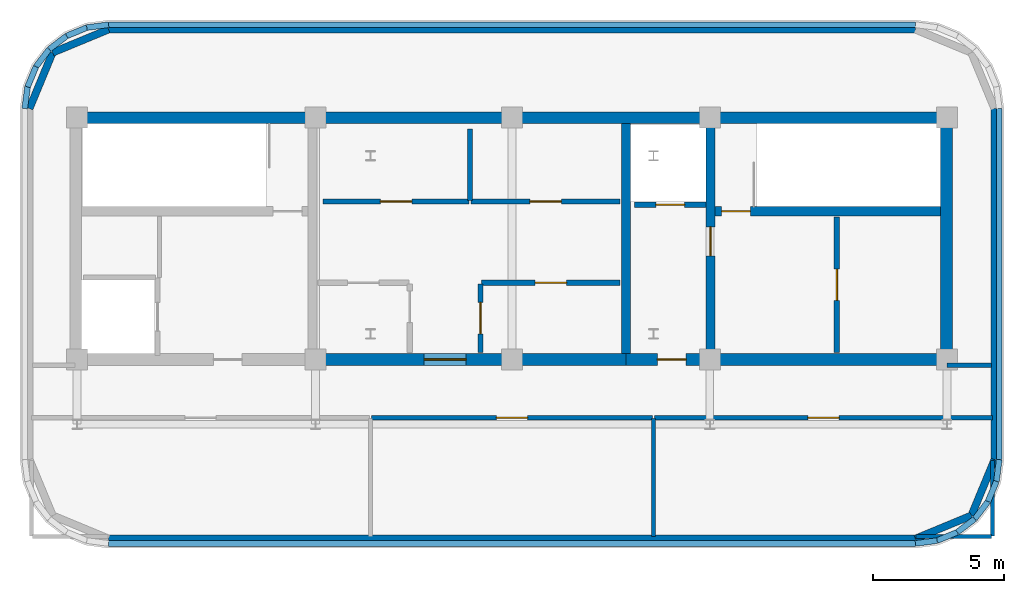
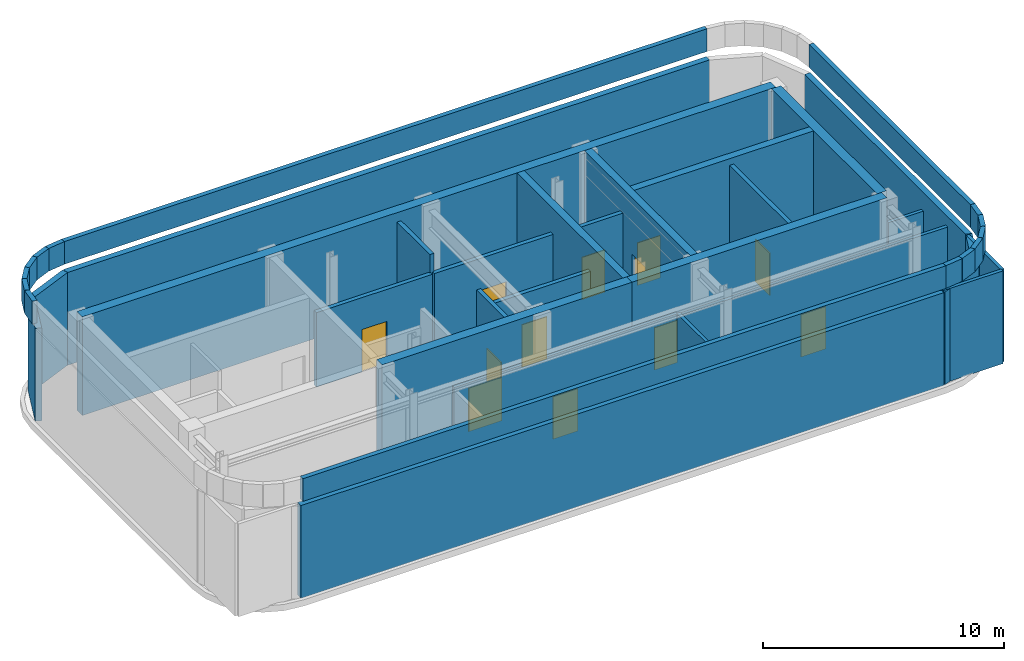
# One storey, part 2 of 4: 42 walls, 12 doors, 12 openings.
"""IFC4 building model written with IfcOpenShell, lengths in metres."""

from ifc_helpers import new_model, si_unit, direction, frame, frame_2d, origin, place, context, subcontext, project, spatial, rectangle, extrude, material, layer, layer_set, type_object, element, fill, save


model = new_model("IFC4")

# Units and contexts
model_context = context("Model", 3, precision=1e-05, world=origin(), true_north=direction((0.0, 1.0)))
body_context = subcontext(model_context, "Body", "Model", "MODEL_VIEW")
ifc_project = project(units=[si_unit("LENGTHUNIT", "METRE"), si_unit("AREAUNIT", "SQUARE_METRE"), si_unit("VOLUMEUNIT", "CUBIC_METRE"), si_unit("PLANEANGLEUNIT", "RADIAN"), si_unit("MASSUNIT", "GRAM", prefix="KILO")], contexts=[model_context])

# Site, building, storey
site_placement = place(None, origin())
site = spatial("IfcSite", under=ifc_project, at=site_placement, CompositionType="ELEMENT")
building_placement = place(site_placement, origin())
building = spatial("IfcBuilding", under=site, at=building_placement, Name="Zarnavel Station Tower", CompositionType="ELEMENT")
storey_placement = place(building_placement, frame((0.0, 0.0, 286.60009765625)))
storey = spatial("IfcBuildingStorey", under=building, at=storey_placement, Name="L77", CompositionType="ELEMENT", Elevation=286.60009765625)

# Wall
ifc_material_1 = material(Name="Concrete C50/60", Category="concrete")
ifc_layer_1 = layer(ifc_material_1, 0.35009765625)
ifc_layer_set_1 = layer_set([ifc_layer_1], Name="CW_350")
wall_type_1 = type_object("IfcWallType", Name="CW_350", PredefinedType="SHEAR", material=ifc_layer_set_1)
wall_1_placement = place(storey_placement, frame((33.14990234375, 28.044921875, 0.0), z_axis=(0.0, 0.0, 1.0), x_axis=(0.0, 1.0, 0.0)))
element("IfcWall", 1, at=wall_1_placement, inside=storey, type_object=wall_type_1, Name="L77 Rear Core Shear Wall DIV-E", PredefinedType="SHEAR", context=body_context, shape_type="SweptSolid", body=[
    extrude(rectangle(XDim=8.780029296875, YDim=0.35009765625, at=frame_2d((4.39013671875, 0.0))), origin(), (0.0, 0.0, 1.0), 5.0),
])

# Wall, opening, door
wall_2_placement = place(storey_placement, frame((36.3798828125, 28.044921875, 0.0), z_axis=(0.0, 0.0, 1.0), x_axis=(0.0, 1.0, 0.0)))
wall_2 = element("IfcWall", 2, at=wall_2_placement, inside=storey, type_object=wall_type_1, Name="L77 Rear Core Shear Wall DIV-S2", PredefinedType="SHEAR", context=body_context, shape_type="SweptSolid", body=[
    extrude(rectangle(XDim=8.780029296875, YDim=0.35009765625, at=frame_2d((4.39013671875, 0.0))), origin(), (0.0, 0.0, 1.0), 5.0),
])
opening_1_placement = place(wall_2_placement, frame((3.735107421875, 0.0, 0.0)))
opening_1 = element("IfcOpeningElement", 3, at=opening_1_placement, cuts=wall_2, Name="Opening FD01", PredefinedType="OPENING", context=body_context, shape_type="SweptSolid", body=[
    extrude(rectangle(XDim=1.10009765625, YDim=2.14990234375, at=frame_2d((0.550048828125, 1.074951171875))), frame((0.0, 0.18505859375, 0.0), z_axis=(0.0, -1.0, 0.0), x_axis=(1.0, 0.0, 0.0)), (0.0, 0.0, 1.0), 0.3701171875),
])
ifc_material_2 = material(Name="Painted Galvanised Steel and Hardwood Leaf", Category="steel")
door_type_1 = type_object("IfcDoorType", Name="ID_STAIR_1100", OperationType="NOTDEFINED", PredefinedType="DOOR", material=ifc_material_2)
door_1_placement = place(opening_1_placement, origin())
door_1 = element("IfcDoor", 4, at=door_1_placement, inside=storey, type_object=door_type_1, Name="L77 East Stair Vestibule Fire Door", OperationType="SINGLE_SWING_LEFT", OverallHeight=2.14990234375, OverallWidth=1.10009765625, PredefinedType="DOOR", context=body_context, shape_type="SweptSolid", body=[
    extrude(rectangle(XDim=1.10009765625, YDim=2.14990234375, at=frame_2d((0.550048828125, 1.074951171875))), frame((0.0, 0.02490234375, 0.0), z_axis=(0.0, -1.0, 0.0), x_axis=(1.0, 0.0, 0.0)), (0.0, 0.0, 1.0), 0.050048828125),
])
fill(opening_1, door_1)

wall_3_placement = place(storey_placement, frame((45.155029296875, 33.47998046875, 0.0), z_axis=(0.0, 0.0, 1.0), x_axis=(-1.0, 0.0, 0.0)))
wall_3 = element("IfcWall", 5, at=wall_3_placement, inside=storey, type_object=wall_type_1, Name="L77 Rear Core Shear Wall DIV-H2", PredefinedType="SHEAR", context=body_context, shape_type="SweptSolid", body=[
    extrude(rectangle(XDim=8.60009765625, YDim=0.35009765625, at=frame_2d((4.300048828125, 0.0))), origin(), (0.0, 0.0, 1.0), 5.0),
])
opening_2_placement = place(wall_3_placement, frame((7.2548828125, 0.0, 0.0)))
opening_2 = element("IfcOpeningElement", 6, at=opening_2_placement, cuts=wall_3, Name="Opening FD01", PredefinedType="OPENING", context=body_context, shape_type="SweptSolid", body=[
    extrude(rectangle(XDim=1.10009765625, YDim=2.14990234375, at=frame_2d((0.550048828125, 1.074951171875))), frame((0.0, 0.18505859375, 0.0), z_axis=(0.0, -1.0, 0.0), x_axis=(1.0, 0.0, 0.0)), (0.0, 0.0, 1.0), 0.3701171875),
])
door_2_placement = place(opening_2_placement, origin())
door_2 = element("IfcDoor", 7, at=door_2_placement, inside=storey, type_object=door_type_1, Name="L77 Stair ST2 Lobby Fire Door", OperationType="SINGLE_SWING_RIGHT", OverallHeight=2.14990234375, OverallWidth=1.10009765625, PredefinedType="DOOR", context=body_context, shape_type="SweptSolid", body=[
    extrude(rectangle(XDim=1.10009765625, YDim=2.14990234375, at=frame_2d((0.550048828125, 1.074951171875))), frame((0.0, 0.02490234375, 0.0), z_axis=(0.0, -1.0, 0.0), x_axis=(1.0, 0.0, 0.0)), (0.0, 0.0, 1.0), 0.050048828125),
])
fill(opening_2, door_2)

# Wall
ifc_material_3 = material(Name="Concrete C50/60", Category="concrete")
ifc_layer_2 = layer(ifc_material_3, 0.449951171875)
ifc_layer_set_2 = layer_set([ifc_layer_2], Name="CW_450")
wall_type_2 = type_object("IfcWallType", Name="CW_450", PredefinedType="SHEAR", material=ifc_layer_set_2)
wall_4_placement = place(storey_placement, frame((12.14990234375, 37.050048828125, 0.0), z_axis=(0.0, 0.0, 1.0), x_axis=(1.0, 0.0, 0.0)))
element("IfcWall", 8, at=wall_4_placement, inside=storey, type_object=wall_type_2, Name="L77 Rear Core Shear Wall N", PredefinedType="SHEAR", context=body_context, shape_type="SweptSolid", body=[
    extrude(rectangle(XDim=33.22998046875, YDim=0.449951171875, at=frame_2d((16.614990234375, 0.0))), origin(), (0.0, 0.0, 1.0), 5.0),
])

# Wall, opening, door
wall_5_placement = place(storey_placement, frame((33.14990234375, 27.820068359375, 0.0), z_axis=(0.0, 0.0, 1.0), x_axis=(-1.0, 0.0, 0.0)))
wall_5 = element("IfcWall", 9, at=wall_5_placement, inside=storey, type_object=wall_type_2, Name="L77 Rear Core Shear Wall S-M", PredefinedType="SHEAR", context=body_context, shape_type="SweptSolid", body=[
    extrude(rectangle(XDim=11.969970703125, YDim=0.449951171875, at=frame_2d((5.98486328125, 0.0))), origin(), (0.0, 0.0, 1.0), 5.0),
])
opening_3_placement = place(wall_5_placement, frame((6.10009765625, 0.0, 0.0)))
opening_3 = element("IfcOpeningElement", 10, at=opening_3_placement, cuts=wall_5, Name="Opening ID03", PredefinedType="OPENING", context=body_context, shape_type="SweptSolid", body=[
    extrude(rectangle(XDim=1.60009765625, YDim=2.199951171875, at=frame_2d((0.800048828125, 1.10009765625))), frame((0.0, 0.23486328125, 0.0), z_axis=(0.0, -1.0, 0.0), x_axis=(1.0, 0.0, 0.0)), (0.0, 0.0, 1.0), 0.469970703125),
])
ifc_material_4 = material(Name="Painted Galvanised Steel and Hardwood Leaf", Category="steel")
door_type_2 = type_object("IfcDoorType", Name="ID_PUBLIC_1600", OperationType="DOUBLE_DOOR_SINGLE_SWING", PredefinedType="DOOR", material=ifc_material_4)
door_3_placement = place(opening_3_placement, origin())
door_3 = element("IfcDoor", 11, at=door_3_placement, inside=storey, type_object=door_type_2, Name="L77 Passenger Lift Lobby Double Door", OperationType="SINGLE_SWING_LEFT", OverallHeight=2.199951171875, OverallWidth=1.60009765625, PredefinedType="DOOR", context=body_context, shape_type="SweptSolid", body=[
    extrude(rectangle(XDim=1.60009765625, YDim=2.199951171875, at=frame_2d((0.800048828125, 1.10009765625))), frame((0.0, 0.02490234375, 0.0), z_axis=(0.0, -1.0, 0.0), x_axis=(1.0, 0.0, 0.0)), (0.0, 0.0, 1.0), 0.050048828125),
])
fill(opening_3, door_3)

wall_6_placement = place(storey_placement, frame((45.3798828125, 27.820068359375, 0.0), z_axis=(0.0, 0.0, 1.0), x_axis=(-1.0, 0.0, 0.0)))
wall_6 = element("IfcWall", 12, at=wall_6_placement, inside=storey, type_object=wall_type_2, Name="L77 Rear Core Shear Wall S-E", PredefinedType="SHEAR", context=body_context, shape_type="SweptSolid", body=[
    extrude(rectangle(XDim=12.22998046875, YDim=0.449951171875, at=frame_2d((6.114990234375, 0.0))), origin(), (0.0, 0.0, 1.0), 5.0),
])
opening_4_placement = place(wall_6_placement, frame((9.929931640625, 0.0, 0.0)))
opening_4 = element("IfcOpeningElement", 13, at=opening_4_placement, cuts=wall_6, Name="Opening FD01", PredefinedType="OPENING", context=body_context, shape_type="SweptSolid", body=[
    extrude(rectangle(XDim=1.10009765625, YDim=2.14990234375, at=frame_2d((0.550048828125, 1.074951171875))), frame((0.0, 0.23486328125, 0.0), z_axis=(0.0, -1.0, 0.0), x_axis=(1.0, 0.0, 0.0)), (0.0, 0.0, 1.0), 0.469970703125),
])
door_4_placement = place(opening_4_placement, origin())
door_4 = element("IfcDoor", 14, at=door_4_placement, inside=storey, type_object=door_type_1, Name="L77 East Firefighting Lobby Door", OperationType="SINGLE_SWING_LEFT", OverallHeight=2.14990234375, OverallWidth=1.10009765625, PredefinedType="DOOR", context=body_context, shape_type="SweptSolid", body=[
    extrude(rectangle(XDim=1.10009765625, YDim=2.14990234375, at=frame_2d((0.550048828125, 1.074951171875))), frame((0.0, 0.02490234375, 0.0), z_axis=(0.0, -1.0, 0.0), x_axis=(1.0, 0.0, 0.0)), (0.0, 0.0, 1.0), 0.050048828125),
])
fill(opening_4, door_4)

# Walls
wall_7_placement = place(storey_placement, frame((45.3798828125, 28.044921875, 0.0), z_axis=(0.0, 0.0, 1.0), x_axis=(0.0, 1.0, 0.0)))
element("IfcWall", 15, at=wall_7_placement, inside=storey, type_object=wall_type_2, Name="L77 Rear Core Shear Wall E", PredefinedType="SHEAR", context=body_context, shape_type="SweptSolid", body=[
    extrude(rectangle(XDim=8.780029296875, YDim=0.449951171875, at=frame_2d((4.39013671875, 0.0))), origin(), (0.0, 0.0, 1.0), 5.0),
])
ifc_material_5 = material(Name="Precast concrete C45/55 (Crown Drum Cladding)", Category="concrete")
ifc_layer_3 = layer(ifc_material_5, 0.280029296875)
ifc_layer_set_3 = layer_set([ifc_layer_3], Name="EW_DRUM_280")
wall_type_3 = type_object("IfcWallType", Name="EW_DRUM_280", PredefinedType="SOLIDWALL", material=ifc_layer_set_3)
for number, where, z_axis, x_axis, name in (
    (16, (46.33544921875, 21.864501953125, 0.0), (0.0, 0.0, 1.0), (-0.923884238828, -0.382672070113, 0.0), "L77 Exterior Basalt Masonry Frame Wall 01"),
    (17, (47.219970703125, 24.0, 0.0), (0.0, 0.0, 1.0), (-0.382672070113, -0.923884238828, 0.0), "L77 Exterior Basalt Masonry Frame Wall 02"),
):
    element("IfcWall", number, at=place(storey_placement, frame(where, z_axis=z_axis, x_axis=x_axis)), inside=storey, type_object=wall_type_3, Name=name, PredefinedType="SOLIDWALL", context=body_context, shape_type="SweptSolid", body=[
        extrude(rectangle(XDim=2.3115234375, YDim=0.280029296875, at=frame_2d((1.15576171875, 0.0))), origin(), (0.0, 0.0, 1.0), 4.699951171875),
    ])
wall_8_placement = place(storey_placement, frame((47.219970703125, 37.39990234375, 0.0), z_axis=(0.0, 0.0, 1.0), x_axis=(0.0, -1.0, 0.0)))
element("IfcWall", 18, at=wall_8_placement, inside=storey, type_object=wall_type_3, Name="L77 Exterior Basalt Masonry Frame Wall 03", PredefinedType="SOLIDWALL", context=body_context, shape_type="SweptSolid", body=[
    extrude(rectangle(XDim=13.39990234375, YDim=0.280029296875, at=frame_2d((6.699951171875, 0.0))), origin(), (0.0, 0.0, 1.0), 4.699951171875),
])
wall_9_placement = place(storey_placement, frame((13.39990234375, 40.419921875, 0.0), z_axis=(0.0, 0.0, 1.0), x_axis=(1.0, 0.0, 0.0)))
element("IfcWall", 19, at=wall_9_placement, inside=storey, type_object=wall_type_3, Name="L77 Exterior Basalt Masonry Frame Wall 06", PredefinedType="SOLIDWALL", context=body_context, shape_type="SweptSolid", body=[
    extrude(rectangle(XDim=30.800048828125, YDim=0.280029296875, at=frame_2d((15.39990234375, 0.0))), origin(), (0.0, 0.0, 1.0), 4.699951171875),
])
for number, where, z_axis, x_axis, name in (
    (20, (11.264404296875, 39.535400390625, 0.0), (0.0, 0.0, 1.0), (0.923884238828, 0.382672070113, 0.0), "L77 Exterior Basalt Masonry Frame Wall 07"),
    (21, (10.3798828125, 37.39990234375, 0.0), (0.0, 0.0, 1.0), (0.382672070113, 0.923884238828, 0.0), "L77 Exterior Basalt Masonry Frame Wall 08"),
):
    element("IfcWall", number, at=place(storey_placement, frame(where, z_axis=z_axis, x_axis=x_axis)), inside=storey, type_object=wall_type_3, Name=name, PredefinedType="SOLIDWALL", context=body_context, shape_type="SweptSolid", body=[
        extrude(rectangle(XDim=2.3115234375, YDim=0.280029296875, at=frame_2d((1.15576171875, 0.0))), origin(), (0.0, 0.0, 1.0), 4.699951171875),
    ])
wall_10_placement = place(storey_placement, frame((44.199951171875, 20.97998046875, 0.0), z_axis=(0.0, 0.0, 1.0), x_axis=(-1.0, 0.0, 0.0)))
element("IfcWall", 22, at=wall_10_placement, inside=storey, type_object=wall_type_3, Name="L77 Exterior Basalt Masonry Frame Wall 12", PredefinedType="SOLIDWALL", context=body_context, shape_type="SweptSolid", body=[
    extrude(rectangle(XDim=30.800048828125, YDim=0.280029296875, at=frame_2d((15.39990234375, 0.0))), origin(), (0.0, 0.0, 1.0), 4.699951171875),
])

# Wall, opening, door
ifc_material_6 = material(Name="Gypsum Twin-Stud Acoustic Fire Partition", Category="concrete")
ifc_layer_4 = layer(ifc_material_6, 0.159912109375)
ifc_layer_set_4 = layer_set([ifc_layer_4], Name="PT_DEMISE_160")
wall_type_4 = type_object("IfcWallType", Name="PT_DEMISE_160", PredefinedType="PARTITIONING", material=ifc_layer_set_4)
wall_11_placement = place(storey_placement, frame((23.43994140625, 25.60009765625, 0.0), z_axis=(0.0, 0.0, 1.0), x_axis=(1.0, 0.0, 0.0)))
wall_11 = element("IfcWall", 23, at=wall_11_placement, inside=storey, type_object=wall_type_4, Name="L77 Partition DCOR-TXM2", PredefinedType="PARTITIONING", context=body_context, shape_type="SweptSolid", body=[
    extrude(rectangle(XDim=10.719970703125, YDim=0.159912109375, at=frame_2d((5.35986328125, 0.0))), origin(), (0.0, 0.0, 1.0), 4.31982421875),
])
opening_5_placement = place(wall_11_placement, frame((4.760009765625, 0.0, 0.0)))
opening_5 = element("IfcOpeningElement", 24, at=opening_5_placement, cuts=wall_11, Name="Opening FD03", PredefinedType="OPENING", context=body_context, shape_type="SweptSolid", body=[
    extrude(rectangle(XDim=1.199951171875, YDim=2.14990234375, at=frame_2d((0.60009765625, 1.074951171875))), frame((0.0, 0.08984375, 0.0), z_axis=(0.0, -1.0, 0.0), x_axis=(1.0, 0.0, 0.0)), (0.0, 0.0, 1.0), 0.179931640625),
])
ifc_material_7 = material(Name="Painted Galvanised Steel and Hardwood Leaf", Category="steel")
door_type_3 = type_object("IfcDoorType", Name="ID_PLANT_1200", OperationType="NOTDEFINED", PredefinedType="DOOR", material=ifc_material_7)
door_5_placement = place(opening_5_placement, origin())
door_5 = element("IfcDoor", 25, at=door_5_placement, inside=storey, type_object=door_type_3, Name="L77 Door DCOR-TXM2", OperationType="SINGLE_SWING_LEFT", OverallHeight=2.14990234375, OverallWidth=1.199951171875, PredefinedType="DOOR", context=body_context, shape_type="SweptSolid", body=[
    extrude(rectangle(XDim=1.199951171875, YDim=2.14990234375, at=frame_2d((0.60009765625, 1.074951171875))), frame((0.0, 0.02490234375, 0.0), z_axis=(0.0, -1.0, 0.0), x_axis=(1.0, 0.0, 0.0)), (0.0, 0.0, 1.0), 0.050048828125),
])
fill(opening_5, door_5)

wall_12_placement = place(storey_placement, frame((34.239990234375, 25.60009765625, 0.0), z_axis=(0.0, 0.0, 1.0), x_axis=(1.0, 0.0, 0.0)))
wall_12 = element("IfcWall", 26, at=wall_12_placement, inside=storey, type_object=wall_type_4, Name="L77 Partition DCOR-HRCP1", PredefinedType="PARTITIONING", context=body_context, shape_type="SweptSolid", body=[
    extrude(rectangle(XDim=12.89990234375, YDim=0.159912109375, at=frame_2d((6.449951171875, 0.0))), origin(), (0.0, 0.0, 1.0), 4.179931640625),
])
opening_6_placement = place(wall_12_placement, frame((5.85009765625, 0.0, 0.0)))
opening_6 = element("IfcOpeningElement", 27, at=opening_6_placement, cuts=wall_12, Name="Opening FD03", PredefinedType="OPENING", context=body_context, shape_type="SweptSolid", body=[
    extrude(rectangle(XDim=1.199951171875, YDim=2.14990234375, at=frame_2d((0.60009765625, 1.074951171875))), frame((0.0, 0.08984375, 0.0), z_axis=(0.0, -1.0, 0.0), x_axis=(1.0, 0.0, 0.0)), (0.0, 0.0, 1.0), 0.179931640625),
])
door_6_placement = place(opening_6_placement, origin())
door_6 = element("IfcDoor", 28, at=door_6_placement, inside=storey, type_object=door_type_3, Name="L77 Door DCOR-HRCP1", OperationType="SINGLE_SWING_RIGHT", OverallHeight=2.14990234375, OverallWidth=1.199951171875, PredefinedType="DOOR", context=body_context, shape_type="SweptSolid", body=[
    extrude(rectangle(XDim=1.199951171875, YDim=2.14990234375, at=frame_2d((0.60009765625, 1.074951171875))), frame((0.0, 0.02490234375, 0.0), z_axis=(0.0, -1.0, 0.0), x_axis=(1.0, 0.0, 0.0)), (0.0, 0.0, 1.0), 0.050048828125),
])
fill(opening_6, door_6)

# Walls
wall_13_placement = place(storey_placement, frame((34.199951171875, 21.06005859375, 0.0), z_axis=(0.0, 0.0, 1.0), x_axis=(0.0, 1.0, 0.0)))
element("IfcWall", 29, at=wall_13_placement, inside=storey, type_object=wall_type_4, Name="L77 Partition TXM2-HRCP1", PredefinedType="PARTITIONING", context=body_context, shape_type="SweptSolid", body=[
    extrude(rectangle(XDim=4.5, YDim=0.159912109375, at=frame_2d((2.25, 0.0))), origin(), (0.0, 0.0, 1.0), 4.31982421875),
])
wall_14_placement = place(storey_placement, frame((45.409912109375, 27.60009765625, 0.0), z_axis=(0.0, 0.0, 1.0), x_axis=(1.0, 0.0, 0.0)))
element("IfcWall", 30, at=wall_14_placement, inside=storey, type_object=wall_type_4, Name="L77 Enclosure Wall DCOR", PredefinedType="PARTITIONING", context=body_context, shape_type="SweptSolid", body=[
    extrude(rectangle(XDim=1.7001953125, YDim=0.159912109375, at=frame_2d((0.85009765625, 0.0))), origin(), (0.0, 0.0, 1.0), 3.77001953125),
])
wall_15_placement = place(storey_placement, frame((44.22998046875, 21.06005859375, 0.0), z_axis=(0.0, 0.0, 1.0), x_axis=(1.0, 0.0, 0.0)))
element("IfcWall", 31, at=wall_15_placement, inside=storey, type_object=wall_type_4, Name="L77 Enclosure Wall HRCP1", PredefinedType="PARTITIONING", context=body_context, shape_type="SweptSolid", body=[
    extrude(rectangle(XDim=2.880126953125, YDim=0.159912109375, at=frame_2d((1.43994140625, 0.0))), origin(), (0.0, 0.0, 1.0), 4.699951171875),
])
wall_16_placement = place(storey_placement, frame((47.139892578125, 21.090087890625, 0.0), z_axis=(0.0, 0.0, 1.0), x_axis=(0.0, 1.0, 0.0)))
element("IfcWall", 32, at=wall_16_placement, inside=storey, type_object=wall_type_4, Name="L77 Enclosure Wall HRCP1", PredefinedType="PARTITIONING", context=body_context, shape_type="SweptSolid", body=[
    extrude(rectangle(XDim=2.8798828125, YDim=0.159912109375, at=frame_2d((1.43994140625, 0.0))), origin(), (0.0, 0.0, 1.0), 4.699951171875),
])

# Wall, opening, door
ifc_material_8 = material(Name="Precast concrete C45/55 (Fire Shaft Blockwork)", Category="masonry")
ifc_layer_5 = layer(ifc_material_8, 0.199951171875)
ifc_layer_set_5 = layer_set([ifc_layer_5], Name="PT_SHAFT_200")
wall_type_5 = type_object("IfcWallType", Name="PT_SHAFT_200", PredefinedType="PARTITIONING", material=ifc_layer_set_5)
wall_17_placement = place(storey_placement, frame((33.47509765625, 33.72998046875, 0.0), z_axis=(0.0, 0.0, 1.0), x_axis=(1.0, 0.0, 0.0)))
wall_17 = element("IfcWall", 33, at=wall_17_placement, inside=storey, type_object=wall_type_5, Name="L77 Lift FFL-02 Shaft Front Wall", PredefinedType="PARTITIONING", context=body_context, shape_type="SweptSolid", body=[
    extrude(rectangle(XDim=2.724853515625, YDim=0.199951171875, at=frame_2d((1.3623046875, 0.0))), origin(), (0.0, 0.0, 1.0), 3.77001953125),
])
opening_7_placement = place(wall_17_placement, frame((0.8125, 0.0, 0.0)))
opening_7 = element("IfcOpeningElement", 34, at=opening_7_placement, cuts=wall_17, Name="Opening LD01", PredefinedType="OPENING", context=body_context, shape_type="SweptSolid", body=[
    extrude(rectangle(XDim=1.10009765625, YDim=2.14990234375, at=frame_2d((0.550048828125, 1.074951171875))), frame((0.0, 0.10986328125, 0.0), z_axis=(0.0, -1.0, 0.0), x_axis=(1.0, 0.0, 0.0)), (0.0, 0.0, 1.0), 0.219970703125),
])
ifc_material_9 = material(Name="Painted Galvanised Steel and Hardwood Leaf", Category="steel")
door_type_4 = type_object("IfcDoorType", Name="LD_FF_1100", OperationType="DOUBLE_DOOR_SLIDING", PredefinedType="DOOR", material=ifc_material_9)
door_7_placement = place(opening_7_placement, origin())
door_7 = element("IfcDoor", 35, at=door_7_placement, inside=storey, type_object=door_type_4, Name="L77 Lift FFL-02 Sliding Landing Door", OperationType="DOUBLE_DOOR_SLIDING", OverallHeight=2.14990234375, OverallWidth=1.10009765625, PredefinedType="DOOR", context=body_context, shape_type="SweptSolid", body=[
    extrude(rectangle(XDim=1.10009765625, YDim=2.14990234375, at=frame_2d((0.550048828125, 1.074951171875))), frame((0.0, 0.02490234375, 0.0), z_axis=(0.0, -1.0, 0.0), x_axis=(1.0, 0.0, 0.0)), (0.0, 0.0, 1.0), 0.050048828125),
])
fill(opening_7, door_7)

wall_18_placement = place(storey_placement, frame((41.199951171875, 28.090087890625, 0.0), z_axis=(0.0, 0.0, 1.0), x_axis=(0.0, 1.0, 0.0)))
wall_18 = element("IfcWall", 36, at=wall_18_placement, inside=storey, type_object=wall_type_5, Name="L77 Partition ESTV-CEA", PredefinedType="PARTITIONING", context=body_context, shape_type="SweptSolid", body=[
    extrude(rectangle(XDim=5.169921875, YDim=0.199951171875, at=frame_2d((2.5849609375, 0.0))), origin(), (0.0, 0.0, 1.0), 4.699951171875),
])
opening_8_placement = place(wall_18_placement, frame((1.985107421875, 0.0, 0.0)))
opening_8 = element("IfcOpeningElement", 37, at=opening_8_placement, cuts=wall_18, Name="Opening FD03", PredefinedType="OPENING", context=body_context, shape_type="SweptSolid", body=[
    extrude(rectangle(XDim=1.199951171875, YDim=2.14990234375, at=frame_2d((0.60009765625, 1.074951171875))), frame((0.0, 0.10986328125, 0.0), z_axis=(0.0, -1.0, 0.0), x_axis=(1.0, 0.0, 0.0)), (0.0, 0.0, 1.0), 0.219970703125),
])
door_8_placement = place(opening_8_placement, origin())
door_8 = element("IfcDoor", 38, at=door_8_placement, inside=storey, type_object=door_type_3, Name="L77 Door ESTV-CEA", OperationType="SINGLE_SWING_LEFT", OverallHeight=2.14990234375, OverallWidth=1.199951171875, PredefinedType="DOOR", context=body_context, shape_type="SweptSolid", body=[
    extrude(rectangle(XDim=1.199951171875, YDim=2.14990234375, at=frame_2d((0.60009765625, 1.074951171875))), frame((0.0, 0.02490234375, 0.0), z_axis=(0.0, -1.0, 0.0), x_axis=(1.0, 0.0, 0.0)), (0.0, 0.0, 1.0), 0.050048828125),
])
fill(opening_8, door_8)

wall_19_placement = place(storey_placement, frame((27.639892578125, 30.75, 0.0), z_axis=(0.0, 0.0, 1.0), x_axis=(1.0, 0.0, 0.0)))
wall_19 = element("IfcWall", 39, at=wall_19_placement, inside=storey, type_object=wall_type_5, Name="L77 Partition LLOB-FB3A", PredefinedType="PARTITIONING", context=body_context, shape_type="SweptSolid", body=[
    extrude(rectangle(XDim=5.2900390625, YDim=0.199951171875, at=frame_2d((2.64501953125, 0.0))), origin(), (0.0, 0.0, 1.0), 3.77001953125),
])
opening_9_placement = place(wall_19_placement, frame((2.044921875, 0.0, 0.0)))
opening_9 = element("IfcOpeningElement", 40, at=opening_9_placement, cuts=wall_19, Name="Opening FD03", PredefinedType="OPENING", context=body_context, shape_type="SweptSolid", body=[
    extrude(rectangle(XDim=1.199951171875, YDim=2.14990234375, at=frame_2d((0.60009765625, 1.074951171875))), frame((0.0, 0.10986328125, 0.0), z_axis=(0.0, -1.0, 0.0), x_axis=(1.0, 0.0, 0.0)), (0.0, 0.0, 1.0), 0.219970703125),
])
door_9_placement = place(opening_9_placement, origin())
door_9 = element("IfcDoor", 41, at=door_9_placement, inside=storey, type_object=door_type_3, Name="L77 Door LLOB-FB3A", OperationType="SINGLE_SWING_LEFT", OverallHeight=2.14990234375, OverallWidth=1.199951171875, PredefinedType="DOOR", context=body_context, shape_type="SweptSolid", body=[
    extrude(rectangle(XDim=1.199951171875, YDim=2.14990234375, at=frame_2d((0.60009765625, 1.074951171875))), frame((0.0, 0.02490234375, 0.0), z_axis=(0.0, -1.0, 0.0), x_axis=(1.0, 0.0, 0.0)), (0.0, 0.0, 1.0), 0.050048828125),
])
fill(opening_9, door_9)

wall_20_placement = place(storey_placement, frame((21.590087890625, 33.85009765625, 0.0), z_axis=(0.0, 0.0, 1.0), x_axis=(1.0, 0.0, 0.0)))
wall_20 = element("IfcWall", 42, at=wall_20_placement, inside=storey, type_object=wall_type_5, Name="L77 Partition LLOB-FB2A", PredefinedType="PARTITIONING", context=body_context, shape_type="SweptSolid", body=[
    extrude(rectangle(XDim=5.56982421875, YDim=0.199951171875, at=frame_2d((2.784912109375, 0.0))), origin(), (0.0, 0.0, 1.0), 3.77001953125),
])
opening_10_placement = place(wall_20_placement, frame((2.18505859375, 0.0, 0.0)))
opening_10 = element("IfcOpeningElement", 43, at=opening_10_placement, cuts=wall_20, Name="Opening FD03", PredefinedType="OPENING", context=body_context, shape_type="SweptSolid", body=[
    extrude(rectangle(XDim=1.199951171875, YDim=2.14990234375, at=frame_2d((0.60009765625, 1.074951171875))), frame((0.0, 0.10986328125, 0.0), z_axis=(0.0, -1.0, 0.0), x_axis=(1.0, 0.0, 0.0)), (0.0, 0.0, 1.0), 0.219970703125),
])
door_10_placement = place(opening_10_placement, origin())
door_10 = element("IfcDoor", 44, at=door_10_placement, inside=storey, type_object=door_type_3, Name="L77 Door LLOB-FB2A", OperationType="SINGLE_SWING_RIGHT", OverallHeight=2.14990234375, OverallWidth=1.199951171875, PredefinedType="DOOR", context=body_context, shape_type="SweptSolid", body=[
    extrude(rectangle(XDim=1.199951171875, YDim=2.14990234375, at=frame_2d((0.60009765625, 1.074951171875))), frame((0.0, 0.02490234375, 0.0), z_axis=(0.0, -1.0, 0.0), x_axis=(1.0, 0.0, 0.0)), (0.0, 0.0, 1.0), 0.050048828125),
])
fill(opening_10, door_10)

wall_21_placement = place(storey_placement, frame((27.239990234375, 33.85009765625, 0.0), z_axis=(0.0, 0.0, 1.0), x_axis=(1.0, 0.0, 0.0)))
wall_21 = element("IfcWall", 45, at=wall_21_placement, inside=storey, type_object=wall_type_5, Name="L77 Partition LLOB-FB2B", PredefinedType="PARTITIONING", context=body_context, shape_type="SweptSolid", body=[
    extrude(rectangle(XDim=5.68994140625, YDim=0.199951171875, at=frame_2d((2.844970703125, 0.0))), origin(), (0.0, 0.0, 1.0), 3.77001953125),
])
opening_11_placement = place(wall_21_placement, frame((2.2451171875, 0.0, 0.0)))
opening_11 = element("IfcOpeningElement", 46, at=opening_11_placement, cuts=wall_21, Name="Opening FD03", PredefinedType="OPENING", context=body_context, shape_type="SweptSolid", body=[
    extrude(rectangle(XDim=1.199951171875, YDim=2.14990234375, at=frame_2d((0.60009765625, 1.074951171875))), frame((0.0, 0.10986328125, 0.0), z_axis=(0.0, -1.0, 0.0), x_axis=(1.0, 0.0, 0.0)), (0.0, 0.0, 1.0), 0.219970703125),
])
door_11_placement = place(opening_11_placement, origin())
door_11 = element("IfcDoor", 47, at=door_11_placement, inside=storey, type_object=door_type_3, Name="L77 Door LLOB-FB2B", OperationType="SINGLE_SWING_LEFT", OverallHeight=2.14990234375, OverallWidth=1.199951171875, PredefinedType="DOOR", context=body_context, shape_type="SweptSolid", body=[
    extrude(rectangle(XDim=1.199951171875, YDim=2.14990234375, at=frame_2d((0.60009765625, 1.074951171875))), frame((0.0, 0.02490234375, 0.0), z_axis=(0.0, -1.0, 0.0), x_axis=(1.0, 0.0, 0.0)), (0.0, 0.0, 1.0), 0.050048828125),
])
fill(opening_11, door_11)

wall_22_placement = place(storey_placement, frame((27.60009765625, 28.090087890625, 0.0), z_axis=(0.0, 0.0, 1.0), x_axis=(0.0, 1.0, 0.0)))
wall_22 = element("IfcWall", 48, at=wall_22_placement, inside=storey, type_object=wall_type_5, Name="L77 Partition LLOBS-FB3A", PredefinedType="PARTITIONING", context=body_context, shape_type="SweptSolid", body=[
    extrude(rectangle(XDim=2.619873046875, YDim=0.199951171875, at=frame_2d((1.31005859375, 0.0))), origin(), (0.0, 0.0, 1.0), 4.699951171875),
])
opening_12_placement = place(wall_22_placement, frame((0.7099609375, 0.0, 0.0)))
opening_12 = element("IfcOpeningElement", 49, at=opening_12_placement, cuts=wall_22, Name="Opening FD03", PredefinedType="OPENING", context=body_context, shape_type="SweptSolid", body=[
    extrude(rectangle(XDim=1.199951171875, YDim=2.14990234375, at=frame_2d((0.60009765625, 1.074951171875))), frame((0.0, 0.10986328125, 0.0), z_axis=(0.0, -1.0, 0.0), x_axis=(1.0, 0.0, 0.0)), (0.0, 0.0, 1.0), 0.219970703125),
])
door_12_placement = place(opening_12_placement, origin())
door_12 = element("IfcDoor", 50, at=door_12_placement, inside=storey, type_object=door_type_3, Name="L77 Door LLOBS-FB3A", OperationType="SINGLE_SWING_LEFT", OverallHeight=2.14990234375, OverallWidth=1.199951171875, PredefinedType="DOOR", context=body_context, shape_type="SweptSolid", body=[
    extrude(rectangle(XDim=1.199951171875, YDim=2.14990234375, at=frame_2d((0.60009765625, 1.074951171875))), frame((0.0, 0.02490234375, 0.0), z_axis=(0.0, -1.0, 0.0), x_axis=(1.0, 0.0, 0.0)), (0.0, 0.0, 1.0), 0.050048828125),
])
fill(opening_12, door_12)

# Walls
wall_23_placement = place(storey_placement, frame((27.199951171875, 33.889892578125, 0.0), z_axis=(0.0, 0.0, 1.0), x_axis=(0.0, 1.0, 0.0)))
element("IfcWall", 51, at=wall_23_placement, inside=storey, type_object=wall_type_5, Name="L77 Partition FB2A-FB2B", PredefinedType="PARTITIONING", context=body_context, shape_type="SweptSolid", body=[
    extrude(rectangle(XDim=2.72021484375, YDim=0.199951171875, at=frame_2d((1.360107421875, 0.0))), origin(), (0.0, 0.0, 1.0), 4.699951171875),
])
ifc_material_10 = material(Name="Precast concrete C45/55 (Travertine Cap)", Category="masonry")
ifc_layer_6 = layer(ifc_material_10, 0.219970703125)
ifc_layer_set_6 = layer_set([ifc_layer_6], Name="PW_PARAPET_220")
wall_type_6 = type_object("IfcWallType", Name="PW_PARAPET_220", PredefinedType="PARAPET", material=ifc_layer_set_6)
for number, where, z_axis, x_axis, name in (
    (52, (44.199951171875, 20.800048828125, 5.0), (0.0, 0.0, 1.0), (0.991471195259, 0.130326010341, 0.0), "Main Roof Parapet 01"),
    (53, (45.0283203125, 20.908935546875, 5.0), (0.0, 0.0, 1.0), (0.923810192325, 0.382850791505, 0.0), "Main Roof Parapet 02"),
):
    element("IfcWall", number, at=place(storey_placement, frame(where, z_axis=z_axis, x_axis=x_axis)), inside=storey, type_object=wall_type_6, Name=name, PredefinedType="PARAPET", context=body_context, shape_type="SweptSolid", body=[
        extrude(rectangle(XDim=0.83544921875, YDim=0.219970703125, at=frame_2d((0.417724609375, 0.0))), origin(), (0.0, 0.0, 1.0), 1.14990234375),
    ])
for number, where, z_axis, x_axis, name in (
    (54, (45.800048828125, 21.228759765625, 5.0), (0.0, 0.0, 1.0), (0.793286343922, 0.608848730431, 0.0), "Main Roof Parapet 03"),
    (55, (46.462646484375, 21.7373046875, 5.0), (0.0, 0.0, 1.0), (0.608848730431, 0.793286343922, 0.0), "Main Roof Parapet 04"),
):
    element("IfcWall", number, at=place(storey_placement, frame(where, z_axis=z_axis, x_axis=x_axis)), inside=storey, type_object=wall_type_6, Name=name, PredefinedType="PARAPET", context=body_context, shape_type="SweptSolid", body=[
        extrude(rectangle(XDim=0.835205078125, YDim=0.219970703125, at=frame_2d((0.41748046875, 0.0))), origin(), (0.0, 0.0, 1.0), 1.14990234375),
    ])
wall_24_placement = place(storey_placement, frame((46.97119140625, 22.39990234375, 5.0), z_axis=(0.0, 0.0, 1.0), x_axis=(0.382747452713, 0.923853011816, 0.0)))
element("IfcWall", 56, at=wall_24_placement, inside=storey, type_object=wall_type_6, Name="Main Roof Parapet 05", PredefinedType="PARAPET", context=body_context, shape_type="SweptSolid", body=[
    extrude(rectangle(XDim=0.835693359375, YDim=0.219970703125, at=frame_2d((0.41796875, 0.0))), origin(), (0.0, 0.0, 1.0), 1.14990234375),
])
wall_25_placement = place(storey_placement, frame((47.291015625, 23.171875, 5.0), z_axis=(0.0, 0.0, 1.0), x_axis=(0.130363779055, 0.99146622994, 0.0)))
element("IfcWall", 57, at=wall_25_placement, inside=storey, type_object=wall_type_6, Name="Main Roof Parapet 06", PredefinedType="PARAPET", context=body_context, shape_type="SweptSolid", body=[
    extrude(rectangle(XDim=0.835205078125, YDim=0.219970703125, at=frame_2d((0.41748046875, 0.0))), origin(), (0.0, 0.0, 1.0), 1.14990234375),
])
wall_26_placement = place(storey_placement, frame((47.39990234375, 24.0, 5.0), z_axis=(0.0, 0.0, 1.0), x_axis=(0.0, 1.0, 0.0)))
element("IfcWall", 58, at=wall_26_placement, inside=storey, type_object=wall_type_6, Name="Main Roof Parapet 07", PredefinedType="PARAPET", context=body_context, shape_type="SweptSolid", body=[
    extrude(rectangle(XDim=13.39990234375, YDim=0.219970703125, at=frame_2d((6.699951171875, 0.0))), origin(), (0.0, 0.0, 1.0), 1.14990234375),
])
wall_27_placement = place(storey_placement, frame((44.199951171875, 40.60009765625, 5.0), z_axis=(0.0, 0.0, 1.0), x_axis=(-1.0, 0.0, 0.0)))
element("IfcWall", 59, at=wall_27_placement, inside=storey, type_object=wall_type_6, Name="Main Roof Parapet 14", PredefinedType="PARAPET", context=body_context, shape_type="SweptSolid", body=[
    extrude(rectangle(XDim=30.800048828125, YDim=0.219970703125, at=frame_2d((15.39990234375, 0.0))), origin(), (0.0, 0.0, 1.0), 1.14990234375),
])
for number, where, z_axis, x_axis, name in (
    (60, (13.39990234375, 40.60009765625, 5.0), (0.0, 0.0, 1.0), (-0.991428410185, -0.130651090611, 0.0), "Main Roof Parapet 15"),
    (61, (12.57177734375, 40.490966796875, 5.0), (0.0, 0.0, 1.0), (-0.923913534508, -0.382601333967, 0.0), "Main Roof Parapet 16"),
):
    element("IfcWall", number, at=place(storey_placement, frame(where, z_axis=z_axis, x_axis=x_axis)), inside=storey, type_object=wall_type_6, Name=name, PredefinedType="PARAPET", context=body_context, shape_type="SweptSolid", body=[
        extrude(rectangle(XDim=0.835205078125, YDim=0.219970703125, at=frame_2d((0.41748046875, 0.0))), origin(), (0.0, 0.0, 1.0), 1.14990234375),
    ])
wall_28_placement = place(storey_placement, frame((11.800048828125, 40.17138671875, 5.0), z_axis=(0.0, 0.0, 1.0), x_axis=(-0.793253533159, -0.608891478123, 0.0)))
element("IfcWall", 62, at=wall_28_placement, inside=storey, type_object=wall_type_6, Name="Main Roof Parapet 17", PredefinedType="PARAPET", context=body_context, shape_type="SweptSolid", body=[
    extrude(rectangle(XDim=0.835693359375, YDim=0.219970703125, at=frame_2d((0.41796875, 0.0))), origin(), (0.0, 0.0, 1.0), 1.14990234375),
])
for number, where, z_axis, x_axis, name in (
    (63, (11.13720703125, 39.66259765625, 5.0), (0.0, 0.0, 1.0), (-0.608848730431, -0.793286343922, 0.0), "Main Roof Parapet 18"),
    (64, (10.628662109375, 39.0, 5.0), (0.0, 0.0, 1.0), (-0.382601333967, -0.923913534508, 0.0), "Main Roof Parapet 19"),
):
    element("IfcWall", number, at=place(storey_placement, frame(where, z_axis=z_axis, x_axis=x_axis)), inside=storey, type_object=wall_type_6, Name=name, PredefinedType="PARAPET", context=body_context, shape_type="SweptSolid", body=[
        extrude(rectangle(XDim=0.835205078125, YDim=0.219970703125, at=frame_2d((0.41748046875, 0.0))), origin(), (0.0, 0.0, 1.0), 1.14990234375),
    ])
wall_29_placement = place(storey_placement, frame((10.30908203125, 38.228271484375, 5.0), z_axis=(0.0, 0.0, 1.0), x_axis=(-0.130613241544, -0.991433397225, 0.0)))
element("IfcWall", 65, at=wall_29_placement, inside=storey, type_object=wall_type_6, Name="Main Roof Parapet 20", PredefinedType="PARAPET", context=body_context, shape_type="SweptSolid", body=[
    extrude(rectangle(XDim=0.83544921875, YDim=0.219970703125, at=frame_2d((0.417724609375, 0.0))), origin(), (0.0, 0.0, 1.0), 1.14990234375),
])
wall_30_placement = place(storey_placement, frame((13.39990234375, 20.800048828125, 5.0), z_axis=(0.0, 0.0, 1.0), x_axis=(1.0, 0.0, 0.0)))
element("IfcWall", 66, at=wall_30_placement, inside=storey, type_object=wall_type_6, Name="Main Roof Parapet 28", PredefinedType="PARAPET", context=body_context, shape_type="SweptSolid", body=[
    extrude(rectangle(XDim=30.800048828125, YDim=0.219970703125, at=frame_2d((15.39990234375, 0.0))), origin(), (0.0, 0.0, 1.0), 1.14990234375),
])

save(model, "model.ifc")
